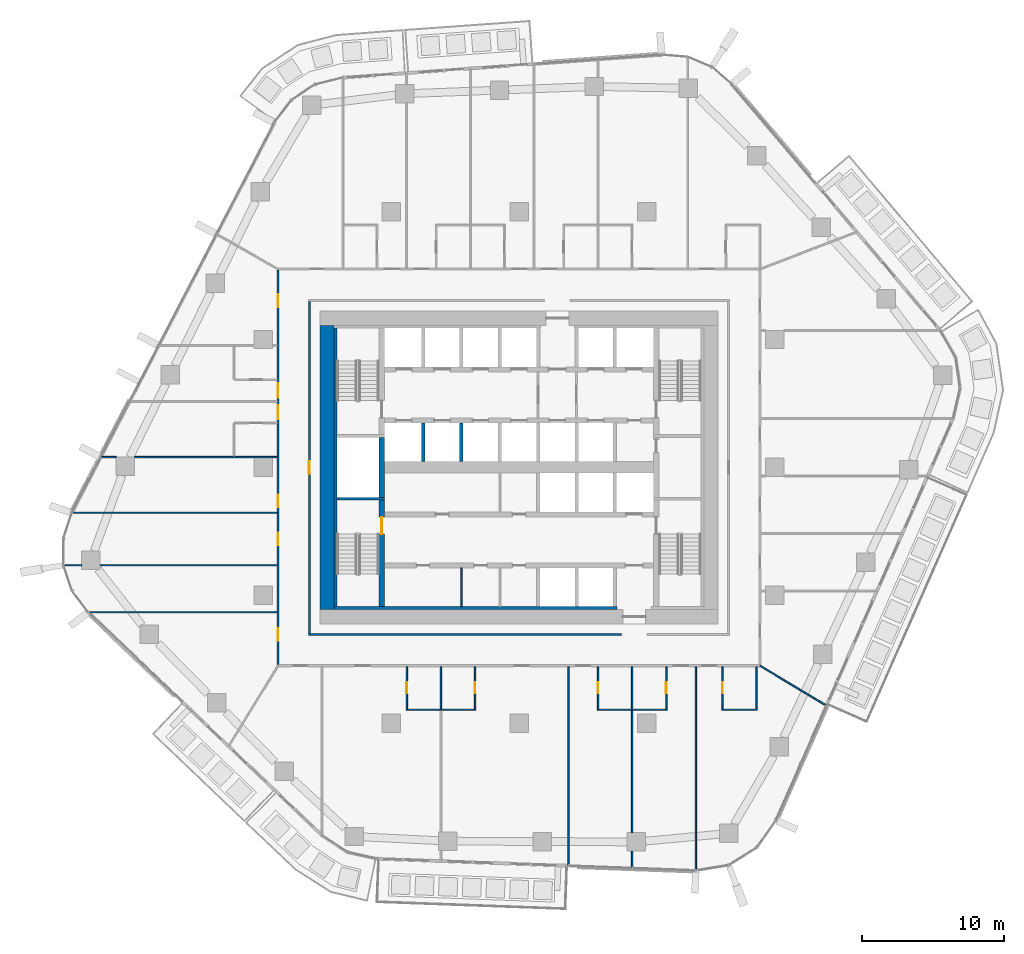
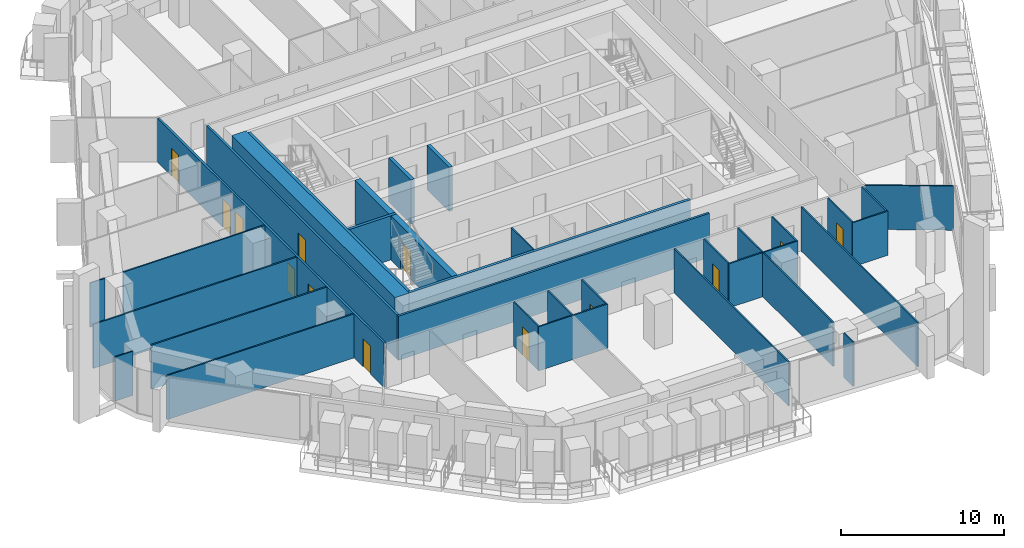
# One storey, part 12 of 24: 34 walls, 13 doors, 13 openings.
"""IFC4 building model written with IfcOpenShell, lengths in metres."""

from ifc_helpers import new_model, si_unit, direction, frame, frame_2d, origin, place, context, subcontext, project, spatial, rectangle, extrude, material, layer, layer_set, type_object, element, fill, save


model = new_model("IFC4")

# Units and contexts
model_context = context("Model", 3, precision=1e-05, world=origin(), true_north=direction((0.0, 1.0)))
body_context = subcontext(model_context, "Body", "Model", "MODEL_VIEW")
ifc_project = project(units=[si_unit("LENGTHUNIT", "METRE"), si_unit("AREAUNIT", "SQUARE_METRE"), si_unit("VOLUMEUNIT", "CUBIC_METRE"), si_unit("PLANEANGLEUNIT", "RADIAN"), si_unit("MASSUNIT", "GRAM", prefix="KILO")], contexts=[model_context])

# Site, building, storey
site_placement = place(None, origin())
site = spatial("IfcSite", under=ifc_project, at=site_placement, CompositionType="ELEMENT")
building_placement = place(site_placement, origin())
building = spatial("IfcBuilding", under=site, at=building_placement, Name="Dongbaek Canopy Tower", CompositionType="ELEMENT")
storey_placement = place(building_placement, frame((0.0, 0.0, 106.300048828125)))
storey = spatial("IfcBuildingStorey", under=building, at=storey_placement, Name="L22", CompositionType="ELEMENT", Elevation=106.300048828125)

# Walls
ifc_material_1 = material(Name="Concrete C60/75", Category="concrete")
ifc_layer_1 = layer(ifc_material_1, 1.0)
ifc_layer_set_1 = layer_set([ifc_layer_1], Name="Core outer wall 1000 Concrete C60/75")
wall_type_1 = type_object("IfcWallType", Name="Core outer wall 1000 Concrete C60/75", PredefinedType="SHEAR", material=ifc_layer_set_1)
wall_1_placement = place(storey_placement, frame((-13.5, -10.0, 0.0), z_axis=(0.0, 0.0, 1.0), x_axis=(0.0, 1.0, 0.0)))
element("IfcWall", 1, at=wall_1_placement, inside=storey, type_object=wall_type_1, Name="Core wall", PredefinedType="SHEAR", context=body_context, shape_type="SweptSolid", body=[
    extrude(rectangle(XDim=20.0, YDim=1.0, at=frame_2d((10.0, 0.0))), origin(), (0.0, 0.0, 1.0), 3.300048828125),
])
ifc_material_2 = material(Name="Concrete C60/75", Category="concrete")
ifc_layer_2 = layer(ifc_material_2, 0.199951171875)
ifc_layer_set_2 = layer_set([ifc_layer_2], Name="Core wall lining 200 Concrete C60/75")
wall_type_2 = type_object("IfcWallType", Name="Core wall lining 200 Concrete C60/75", PredefinedType="SHEAR", material=ifc_layer_set_2)
wall_2_placement = place(storey_placement, frame((6.89990234375, -9.89990234375, 0.0), z_axis=(0.0, 0.0, 1.0), x_axis=(-1.0, 0.0, 0.0)))
element("IfcWall", 2, at=wall_2_placement, inside=storey, type_object=wall_type_2, Name="Core wall lining", PredefinedType="SHEAR", context=body_context, shape_type="SweptSolid", body=[
    extrude(rectangle(XDim=19.89990234375, YDim=0.199951171875, at=frame_2d((9.949951171875, 0.0))), origin(), (0.0, 0.0, 1.0), 3.300048828125),
])
wall_3_placement = place(storey_placement, frame((-12.89990234375, -9.800048828125, 0.0), z_axis=(0.0, 0.0, 1.0), x_axis=(0.0, 1.0, 0.0)))
element("IfcWall", 3, at=wall_3_placement, inside=storey, type_object=wall_type_2, Name="Core wall lining", PredefinedType="SHEAR", context=body_context, shape_type="SweptSolid", body=[
    extrude(rectangle(XDim=19.60009765625, YDim=0.199951171875, at=frame_2d((9.800048828125, 0.0))), origin(), (0.0, 0.0, 1.0), 3.300048828125),
])
ifc_material_3 = material(Name="Gypsum board partition, steel stud, 2 x 15 mm fire board", Category="steel")
ifc_layer_3 = layer(ifc_material_3, 0.14990234375)
ifc_layer_set_3 = layer_set([ifc_layer_3], Name="Fire-rated partition 150 gypsum board")
wall_type_3 = type_object("IfcWallType", Name="Fire-rated partition 150 gypsum board", PredefinedType="PARTITIONING", material=ifc_layer_set_3)
wall_4_placement = place(storey_placement, frame((-14.824951171875, -11.75, 0.0), z_axis=(0.0, 0.0, 1.0), x_axis=(1.0, 0.0, 0.0)))
element("IfcWall", 4, at=wall_4_placement, inside=storey, type_object=wall_type_3, Name="Corridor partition", PredefinedType="PARTITIONING", context=body_context, shape_type="SweptSolid", body=[
    extrude(rectangle(XDim=22.02490234375, YDim=0.14990234375, at=frame_2d((11.012451171875, 0.0))), origin(), (0.0, 0.0, 1.0), 3.300048828125),
])

# Wall, opening, door
wall_5_placement = place(storey_placement, frame((-14.75, 11.675048828125, 0.0), z_axis=(0.0, 0.0, 1.0), x_axis=(0.0, -1.0, 0.0)))
wall_5 = element("IfcWall", 5, at=wall_5_placement, inside=storey, type_object=wall_type_3, Name="Corridor partition", PredefinedType="PARTITIONING", context=body_context, shape_type="SweptSolid", body=[
    extrude(rectangle(XDim=23.35009765625, YDim=0.14990234375, at=frame_2d((11.675048828125, 0.0))), origin(), (0.0, 0.0, 1.0), 3.300048828125),
])
opening_1_placement = place(wall_5_placement, frame((11.22509765625, 0.0, 0.0)))
opening_1 = element("IfcOpeningElement", 6, at=opening_1_placement, cuts=wall_5, Name="Opening L22-D039", PredefinedType="OPENING", context=body_context, shape_type="SweptSolid", body=[
    extrude(rectangle(XDim=0.89990234375, YDim=2.10009765625, at=frame_2d((0.449951171875, 1.050048828125))), frame((0.0, 0.0849609375, 0.0), z_axis=(0.0, -1.0, 0.0), x_axis=(1.0, 0.0, 0.0)), (0.0, 0.0, 1.0), 0.169921875),
])
ifc_material_4 = material(Name="Timber veneered door leaf", Category="wood")
door_type_1 = type_object("IfcDoorType", Name="Room door 900 x 2100", OperationType="SINGLE_SWING_LEFT", PredefinedType="DOOR", material=ifc_material_4)
door_1_placement = place(opening_1_placement, origin())
door_1 = element("IfcDoor", 7, at=door_1_placement, inside=storey, type_object=door_type_1, Name="Door L22-D039", OperationType="SINGLE_SWING_RIGHT", OverallHeight=2.10009765625, OverallWidth=0.89990234375, PredefinedType="DOOR", context=body_context, shape_type="SweptSolid", body=[
    extrude(rectangle(XDim=0.89990234375, YDim=2.10009765625, at=frame_2d((0.449951171875, 1.050048828125))), frame((0.0, 0.02490234375, 0.0), z_axis=(0.0, -1.0, 0.0), x_axis=(1.0, 0.0, 0.0)), (0.0, 0.0, 1.0), 0.050048828125),
])
fill(opening_1, door_1)

# Wall, openings, doors
wall_6_placement = place(storey_placement, frame((-16.949951171875, -13.875, 0.0), z_axis=(0.0, 0.0, 1.0), x_axis=(0.0, 1.0, 0.0)))
wall_6 = element("IfcWall", 8, at=wall_6_placement, inside=storey, type_object=wall_type_3, Name="Corridor partition", PredefinedType="PARTITIONING", context=body_context, shape_type="SweptSolid", body=[
    extrude(rectangle(XDim=27.75, YDim=0.14990234375, at=frame_2d((13.875, 0.0))), origin(), (0.0, 0.0, 1.0), 3.300048828125),
])
opening_2_placement = place(wall_6_placement, frame((11.059814453125, 0.0, 0.0)))
opening_2 = element("IfcOpeningElement", 9, at=opening_2_placement, cuts=wall_6, Name="Opening L22-D001", PredefinedType="OPENING", context=body_context, shape_type="SweptSolid", body=[
    extrude(rectangle(XDim=0.89990234375, YDim=2.10009765625, at=frame_2d((0.449951171875, 1.050048828125))), frame((0.0, 0.0849609375, 0.0), z_axis=(0.0, -1.0, 0.0), x_axis=(1.0, 0.0, 0.0)), (0.0, 0.0, 1.0), 0.169921875),
])
opening_3_placement = place(wall_6_placement, frame((8.386962890625, 0.0, 0.0)))
opening_3 = element("IfcOpeningElement", 10, at=opening_3_placement, cuts=wall_6, Name="Opening L22-D002", PredefinedType="OPENING", context=body_context, shape_type="SweptSolid", body=[
    extrude(rectangle(XDim=0.89990234375, YDim=2.10009765625, at=frame_2d((0.449951171875, 1.050048828125))), frame((0.0, 0.0849609375, 0.0), z_axis=(0.0, -1.0, 0.0), x_axis=(1.0, 0.0, 0.0)), (0.0, 0.0, 1.0), 0.169921875),
])
opening_4_placement = place(wall_6_placement, frame((1.665771484375, 0.0, 0.0)))
opening_4 = element("IfcOpeningElement", 11, at=opening_4_placement, cuts=wall_6, Name="Opening L22-D003", PredefinedType="OPENING", context=body_context, shape_type="SweptSolid", body=[
    extrude(rectangle(XDim=0.89990234375, YDim=2.10009765625, at=frame_2d((0.449951171875, 1.050048828125))), frame((0.0, 0.0849609375, 0.0), z_axis=(0.0, -1.0, 0.0), x_axis=(1.0, 0.0, 0.0)), (0.0, 0.0, 1.0), 0.169921875),
])
opening_5_placement = place(wall_6_placement, frame((25.151611328125, 0.0, 0.0)))
opening_5 = element("IfcOpeningElement", 12, at=opening_5_placement, cuts=wall_6, Name="Opening L22-D034", PredefinedType="OPENING", context=body_context, shape_type="SweptSolid", body=[
    extrude(rectangle(XDim=0.89990234375, YDim=2.10009765625, at=frame_2d((0.449951171875, 1.050048828125))), frame((0.0, 0.0849609375, 0.0), z_axis=(0.0, -1.0, 0.0), x_axis=(1.0, 0.0, 0.0)), (0.0, 0.0, 1.0), 0.169921875),
])
opening_6_placement = place(wall_6_placement, frame((18.78173828125, 0.0, 0.0)))
opening_6 = element("IfcOpeningElement", 13, at=opening_6_placement, cuts=wall_6, Name="Opening L22-D036", PredefinedType="OPENING", context=body_context, shape_type="SweptSolid", body=[
    extrude(rectangle(XDim=1.0, YDim=2.10009765625, at=frame_2d((0.5, 1.050048828125))), frame((0.0, 0.0849609375, 0.0), z_axis=(0.0, -1.0, 0.0), x_axis=(1.0, 0.0, 0.0)), (0.0, 0.0, 1.0), 0.169921875),
])
opening_7_placement = place(wall_6_placement, frame((17.259765625, 0.0, 0.0)))
opening_7 = element("IfcOpeningElement", 14, at=opening_7_placement, cuts=wall_6, Name="Opening L22-D038", PredefinedType="OPENING", context=body_context, shape_type="SweptSolid", body=[
    extrude(rectangle(XDim=1.0, YDim=2.10009765625, at=frame_2d((0.5, 1.050048828125))), frame((0.0, 0.0849609375, 0.0), z_axis=(0.0, -1.0, 0.0), x_axis=(1.0, 0.0, 0.0)), (0.0, 0.0, 1.0), 0.169921875),
])
ifc_material_5 = material(Name="Timber veneered door leaf", Category="wood")
door_type_2 = type_object("IfcDoorType", Name="Guest room door 1000 x 2100", OperationType="SINGLE_SWING_LEFT", PredefinedType="DOOR", material=ifc_material_5)
door_2_placement = place(opening_6_placement, origin())
door_2 = element("IfcDoor", 15, at=door_2_placement, inside=storey, type_object=door_type_2, Name="Door L22-D036", OperationType="SINGLE_SWING_RIGHT", OverallHeight=2.10009765625, OverallWidth=1.0, PredefinedType="DOOR", context=body_context, shape_type="SweptSolid", body=[
    extrude(rectangle(XDim=1.0, YDim=2.10009765625, at=frame_2d((0.5, 1.050048828125))), frame((0.0, 0.02490234375, 0.0), z_axis=(0.0, -1.0, 0.0), x_axis=(1.0, 0.0, 0.0)), (0.0, 0.0, 1.0), 0.050048828125),
])
fill(opening_6, door_2)
door_3_placement = place(opening_7_placement, origin())
door_3 = element("IfcDoor", 16, at=door_3_placement, inside=storey, type_object=door_type_2, Name="Door L22-D038", OperationType="SINGLE_SWING_LEFT", OverallHeight=2.10009765625, OverallWidth=1.0, PredefinedType="DOOR", context=body_context, shape_type="SweptSolid", body=[
    extrude(rectangle(XDim=1.0, YDim=2.10009765625, at=frame_2d((0.5, 1.050048828125))), frame((0.0, 0.02490234375, 0.0), z_axis=(0.0, -1.0, 0.0), x_axis=(1.0, 0.0, 0.0)), (0.0, 0.0, 1.0), 0.050048828125),
])
fill(opening_7, door_3)
door_4_placement = place(opening_2_placement, origin())
door_4 = element("IfcDoor", 17, at=door_4_placement, inside=storey, type_object=door_type_1, Name="Door L22-D001", OperationType="SINGLE_SWING_RIGHT", OverallHeight=2.10009765625, OverallWidth=0.89990234375, PredefinedType="DOOR", context=body_context, shape_type="SweptSolid", body=[
    extrude(rectangle(XDim=0.89990234375, YDim=2.10009765625, at=frame_2d((0.449951171875, 1.050048828125))), frame((0.0, 0.02490234375, 0.0), z_axis=(0.0, -1.0, 0.0), x_axis=(1.0, 0.0, 0.0)), (0.0, 0.0, 1.0), 0.050048828125),
])
fill(opening_2, door_4)
door_5_placement = place(opening_3_placement, origin())
door_5 = element("IfcDoor", 18, at=door_5_placement, inside=storey, type_object=door_type_1, Name="Door L22-D002", OperationType="SINGLE_SWING_LEFT", OverallHeight=2.10009765625, OverallWidth=0.89990234375, PredefinedType="DOOR", context=body_context, shape_type="SweptSolid", body=[
    extrude(rectangle(XDim=0.89990234375, YDim=2.10009765625, at=frame_2d((0.449951171875, 1.050048828125))), frame((0.0, 0.02490234375, 0.0), z_axis=(0.0, -1.0, 0.0), x_axis=(1.0, 0.0, 0.0)), (0.0, 0.0, 1.0), 0.050048828125),
])
fill(opening_3, door_5)
door_6_placement = place(opening_4_placement, origin())
door_6 = element("IfcDoor", 19, at=door_6_placement, inside=storey, type_object=door_type_1, Name="Door L22-D003", OperationType="SINGLE_SWING_LEFT", OverallHeight=2.10009765625, OverallWidth=0.89990234375, PredefinedType="DOOR", context=body_context, shape_type="SweptSolid", body=[
    extrude(rectangle(XDim=0.89990234375, YDim=2.10009765625, at=frame_2d((0.449951171875, 1.050048828125))), frame((0.0, 0.02490234375, 0.0), z_axis=(0.0, -1.0, 0.0), x_axis=(1.0, 0.0, 0.0)), (0.0, 0.0, 1.0), 0.050048828125),
])
fill(opening_4, door_6)
door_7_placement = place(opening_5_placement, origin())
door_7 = element("IfcDoor", 20, at=door_7_placement, inside=storey, type_object=door_type_1, Name="Door L22-D034", OperationType="SINGLE_SWING_LEFT", OverallHeight=2.10009765625, OverallWidth=0.89990234375, PredefinedType="DOOR", context=body_context, shape_type="SweptSolid", body=[
    extrude(rectangle(XDim=0.89990234375, YDim=2.10009765625, at=frame_2d((0.449951171875, 1.050048828125))), frame((0.0, 0.02490234375, 0.0), z_axis=(0.0, -1.0, 0.0), x_axis=(1.0, 0.0, 0.0)), (0.0, 0.0, 1.0), 0.050048828125),
])
fill(opening_5, door_7)

# Walls
ifc_material_6 = material(Name="Concrete C40/50", Category="concrete")
ifc_layer_4 = layer(ifc_material_6, 0.25)
ifc_layer_set_4 = layer_set([ifc_layer_4], Name="Lift shaft wall 250 Concrete C40/50")
wall_type_4 = type_object("IfcWallType", Name="Lift shaft wall 250 Concrete C40/50", PredefinedType="SOLIDWALL", material=ifc_layer_set_4)
for number, where, z_axis, x_axis, name in (
    (21, (-4.050048828125, 0.39990234375, 0.0), (0.0, 0.0, 1.0), (0.0, 1.0, 0.0), "Lift shaft wall"),
    (22, (-6.75, 0.39990234375, 0.0), (0.0, 0.0, 1.0), (0.0, 1.0, 0.0), "Lift shaft wall"),
):
    element("IfcWall", number, at=place(storey_placement, frame(where, z_axis=z_axis, x_axis=x_axis)), inside=storey, type_object=wall_type_4, Name=name, PredefinedType="SOLIDWALL", context=body_context, shape_type="SweptSolid", body=[
        extrude(rectangle(XDim=2.72509765625, YDim=0.25, at=frame_2d((1.362548828125, 0.0))), origin(), (0.0, 0.0, 1.0), 3.300048828125),
    ])
ifc_material_7 = material(Name="Gypsum board partition, steel stud, 2 x 12.5 mm board", Category="steel")
ifc_layer_5 = layer(ifc_material_7, 0.10009765625)
ifc_layer_set_5 = layer_set([ifc_layer_5], Name="Partition 100 gypsum board")
wall_type_5 = type_object("IfcWallType", Name="Partition 100 gypsum board", PredefinedType="PARTITIONING", material=ifc_layer_set_5)
wall_7_placement = place(storey_placement, frame((-7.941650390625, -17.050048828125, 0.0), z_axis=(0.0, 0.0, 1.0), x_axis=(1.0, 0.0, 0.0)))
element("IfcWall", 23, at=wall_7_placement, inside=storey, type_object=wall_type_5, Name="Partition", PredefinedType="PARTITIONING", context=body_context, shape_type="SweptSolid", body=[
    extrude(rectangle(XDim=4.900146484375, YDim=0.10009765625, at=frame_2d((2.4501953125, 0.0))), origin(), (0.0, 0.0, 1.0), 3.300048828125),
])
wall_8_placement = place(storey_placement, frame((5.5126953125, -17.050048828125, 0.0), z_axis=(0.0, 0.0, 1.0), x_axis=(1.0, 0.0, 0.0)))
element("IfcWall", 24, at=wall_8_placement, inside=storey, type_object=wall_type_5, Name="Partition", PredefinedType="PARTITIONING", context=body_context, shape_type="SweptSolid", body=[
    extrude(rectangle(XDim=4.89990234375, YDim=0.10009765625, at=frame_2d((2.449951171875, 0.0))), origin(), (0.0, 0.0, 1.0), 3.300048828125),
])
wall_9_placement = place(storey_placement, frame((14.2724609375, -17.050048828125, 0.0), z_axis=(0.0, 0.0, 1.0), x_axis=(1.0, 0.0, 0.0)))
element("IfcWall", 25, at=wall_9_placement, inside=storey, type_object=wall_type_5, Name="Partition", PredefinedType="PARTITIONING", context=body_context, shape_type="SweptSolid", body=[
    extrude(rectangle(XDim=2.5, YDim=0.10009765625, at=frame_2d((1.25, 0.0))), origin(), (0.0, 0.0, 1.0), 3.300048828125),
])
wall_10_placement = place(storey_placement, frame((-30.268310546875, -10.19091796875, 0.0), z_axis=(0.0, 0.0, 1.0), x_axis=(1.0, 0.0, 0.0)))
element("IfcWall", 26, at=wall_10_placement, inside=storey, type_object=wall_type_5, Name="Partition", PredefinedType="PARTITIONING", context=body_context, shape_type="SweptSolid", body=[
    extrude(rectangle(XDim=13.243408203125, YDim=0.10009765625, at=frame_2d((6.62158203125, 0.0))), origin(), (0.0, 0.0, 1.0), 3.300048828125),
])
wall_11_placement = place(storey_placement, frame((-32.02685546875, -6.885009765625, 0.0), z_axis=(0.0, 0.0, 1.0), x_axis=(1.0, 0.0, 0.0)))
element("IfcWall", 27, at=wall_11_placement, inside=storey, type_object=wall_type_5, Name="Partition", PredefinedType="PARTITIONING", context=body_context, shape_type="SweptSolid", body=[
    extrude(rectangle(XDim=1.251953125, YDim=0.10009765625, at=frame_2d((0.6259765625, 0.0))), origin(), (0.0, 0.0, 1.0), 3.300048828125),
])
wall_12_placement = place(storey_placement, frame((-29.47509765625, -6.885009765625, 0.0), z_axis=(0.0, 0.0, 1.0), x_axis=(1.0, 0.0, 0.0)))
element("IfcWall", 28, at=wall_12_placement, inside=storey, type_object=wall_type_5, Name="Partition", PredefinedType="PARTITIONING", context=body_context, shape_type="SweptSolid", body=[
    extrude(rectangle(XDim=12.4501953125, YDim=0.10009765625, at=frame_2d((6.22509765625, 0.0))), origin(), (0.0, 0.0, 1.0), 3.300048828125),
])
wall_13_placement = place(storey_placement, frame((-31.43896484375, -3.19091796875, 0.0), z_axis=(0.0, 0.0, 1.0), x_axis=(1.0, 0.0, 0.0)))
element("IfcWall", 29, at=wall_13_placement, inside=storey, type_object=wall_type_5, Name="Partition", PredefinedType="PARTITIONING", context=body_context, shape_type="SweptSolid", body=[
    extrude(rectangle(XDim=14.4140625, YDim=0.10009765625, at=frame_2d((7.20703125, 0.0))), origin(), (0.0, 0.0, 1.0), 3.300048828125),
])
wall_14_placement = place(storey_placement, frame((-29.406005859375, 0.72412109375, 0.0), z_axis=(0.0, 0.0, 1.0), x_axis=(1.0, 0.0, 0.0)))
element("IfcWall", 30, at=wall_14_placement, inside=storey, type_object=wall_type_5, Name="Partition", PredefinedType="PARTITIONING", context=body_context, shape_type="SweptSolid", body=[
    extrude(rectangle(XDim=1.06298828125, YDim=0.10009765625, at=frame_2d((0.531494140625, 0.0))), origin(), (0.0, 0.0, 1.0), 3.300048828125),
])
wall_15_placement = place(storey_placement, frame((-27.04296875, 0.72412109375, 0.0), z_axis=(0.0, 0.0, 1.0), x_axis=(1.0, 0.0, 0.0)))
element("IfcWall", 31, at=wall_15_placement, inside=storey, type_object=wall_type_5, Name="Partition", PredefinedType="PARTITIONING", context=body_context, shape_type="SweptSolid", body=[
    extrude(rectangle(XDim=10.01806640625, YDim=0.10009765625, at=frame_2d((5.009033203125, 0.0))), origin(), (0.0, 0.0, 1.0), 3.300048828125),
])
wall_16_placement = place(storey_placement, frame((16.721923828125, -17.0, 0.0), z_axis=(0.0, 0.0, 1.0), x_axis=(0.0, 1.0, 0.0)))
element("IfcWall", 32, at=wall_16_placement, inside=storey, type_object=wall_type_5, Name="Partition", PredefinedType="PARTITIONING", context=body_context, shape_type="SweptSolid", body=[
    extrude(rectangle(XDim=2.97509765625, YDim=0.10009765625, at=frame_2d((1.487548828125, 0.0))), origin(), (0.0, 0.0, 1.0), 3.300048828125),
])

# Wall, opening, door
wall_17_placement = place(storey_placement, frame((14.322021484375, -14.02490234375, 0.0), z_axis=(0.0, 0.0, 1.0), x_axis=(0.0, -1.0, 0.0)))
wall_17 = element("IfcWall", 33, at=wall_17_placement, inside=storey, type_object=wall_type_5, Name="Partition", PredefinedType="PARTITIONING", context=body_context, shape_type="SweptSolid", body=[
    extrude(rectangle(XDim=3.025146484375, YDim=0.10009765625, at=frame_2d((1.5126953125, 0.0))), origin(), (0.0, 0.0, 1.0), 3.300048828125),
])
opening_8_placement = place(wall_17_placement, frame((1.074951171875, 0.0, 0.0)))
opening_8 = element("IfcOpeningElement", 34, at=opening_8_placement, cuts=wall_17, Name="Opening L22-D013", PredefinedType="OPENING", context=body_context, shape_type="SweptSolid", body=[
    extrude(rectangle(XDim=0.800048828125, YDim=2.10009765625, at=frame_2d((0.39990234375, 1.050048828125))), frame((0.0, 0.06005859375, 0.0), z_axis=(0.0, -1.0, 0.0), x_axis=(1.0, 0.0, 0.0)), (0.0, 0.0, 1.0), 0.1201171875),
])
ifc_material_8 = material(Name="Timber veneered door leaf", Category="wood")
door_type_3 = type_object("IfcDoorType", Name="En-suite door 800 x 2100", OperationType="SINGLE_SWING_LEFT", PredefinedType="DOOR", material=ifc_material_8)
door_8_placement = place(opening_8_placement, origin())
door_8 = element("IfcDoor", 35, at=door_8_placement, inside=storey, type_object=door_type_3, Name="Door L22-D013", OperationType="SINGLE_SWING_RIGHT", OverallHeight=2.10009765625, OverallWidth=0.800048828125, PredefinedType="DOOR", context=body_context, shape_type="SweptSolid", body=[
    extrude(rectangle(XDim=0.800048828125, YDim=2.10009765625, at=frame_2d((0.39990234375, 1.050048828125))), frame((0.0, 0.02490234375, 0.0), z_axis=(0.0, -1.0, 0.0), x_axis=(1.0, 0.0, 0.0)), (0.0, 0.0, 1.0), 0.050048828125),
])
fill(opening_8, door_8)

# Wall
wall_18_placement = place(storey_placement, frame((12.43994140625, -28.33447265625, 0.0), z_axis=(0.0, 0.0, 1.0), x_axis=(0.0, 1.0, 0.0)))
element("IfcWall", 36, at=wall_18_placement, inside=storey, type_object=wall_type_5, Name="Partition", PredefinedType="PARTITIONING", context=body_context, shape_type="SweptSolid", body=[
    extrude(rectangle(XDim=14.3095703125, YDim=0.10009765625, at=frame_2d((7.15478515625, 0.0))), origin(), (0.0, 0.0, 1.0), 3.300048828125),
])

# Wall, opening, door
wall_19_placement = place(storey_placement, frame((10.363037109375, -17.050048828125, 0.0), z_axis=(0.0, 0.0, 1.0), x_axis=(0.0, 1.0, 0.0)))
wall_19 = element("IfcWall", 37, at=wall_19_placement, inside=storey, type_object=wall_type_5, Name="Partition", PredefinedType="PARTITIONING", context=body_context, shape_type="SweptSolid", body=[
    extrude(rectangle(XDim=3.025146484375, YDim=0.10009765625, at=frame_2d((1.5126953125, 0.0))), origin(), (0.0, 0.0, 1.0), 3.300048828125),
])
opening_9_placement = place(wall_19_placement, frame((1.14990234375, 0.0, 0.0)))
opening_9 = element("IfcOpeningElement", 38, at=opening_9_placement, cuts=wall_19, Name="Opening L22-D011", PredefinedType="OPENING", context=body_context, shape_type="SweptSolid", body=[
    extrude(rectangle(XDim=0.800048828125, YDim=2.10009765625, at=frame_2d((0.39990234375, 1.050048828125))), frame((0.0, 0.06005859375, 0.0), z_axis=(0.0, -1.0, 0.0), x_axis=(1.0, 0.0, 0.0)), (0.0, 0.0, 1.0), 0.1201171875),
])
door_9_placement = place(opening_9_placement, origin())
door_9 = element("IfcDoor", 39, at=door_9_placement, inside=storey, type_object=door_type_3, Name="Door L22-D011", OperationType="SINGLE_SWING_LEFT", OverallHeight=2.10009765625, OverallWidth=0.800048828125, PredefinedType="DOOR", context=body_context, shape_type="SweptSolid", body=[
    extrude(rectangle(XDim=0.800048828125, YDim=2.10009765625, at=frame_2d((0.39990234375, 1.050048828125))), frame((0.0, 0.02490234375, 0.0), z_axis=(0.0, -1.0, 0.0), x_axis=(1.0, 0.0, 0.0)), (0.0, 0.0, 1.0), 0.050048828125),
])
fill(opening_9, door_9)

# Walls
wall_20_placement = place(storey_placement, frame((7.962890625, -28.169677734375, 0.0), z_axis=(0.0, 0.0, 1.0), x_axis=(0.0, 1.0, 0.0)))
element("IfcWall", 40, at=wall_20_placement, inside=storey, type_object=wall_type_5, Name="Partition", PredefinedType="PARTITIONING", context=body_context, shape_type="SweptSolid", body=[
    extrude(rectangle(XDim=1.170654296875, YDim=0.10009765625, at=frame_2d((0.58544921875, 0.0))), origin(), (0.0, 0.0, 1.0), 3.300048828125),
])
wall_21_placement = place(storey_placement, frame((7.962890625, -25.698974609375, 0.0), z_axis=(0.0, 0.0, 1.0), x_axis=(0.0, 1.0, 0.0)))
element("IfcWall", 41, at=wall_21_placement, inside=storey, type_object=wall_type_5, Name="Partition", PredefinedType="PARTITIONING", context=body_context, shape_type="SweptSolid", body=[
    extrude(rectangle(XDim=8.598876953125, YDim=0.10009765625, at=frame_2d((4.29931640625, 0.0))), origin(), (0.0, 0.0, 1.0), 3.300048828125),
])
wall_22_placement = place(storey_placement, frame((7.962890625, -17.0, 0.0), z_axis=(0.0, 0.0, 1.0), x_axis=(0.0, 1.0, 0.0)))
element("IfcWall", 42, at=wall_22_placement, inside=storey, type_object=wall_type_5, Name="Partition", PredefinedType="PARTITIONING", context=body_context, shape_type="SweptSolid", body=[
    extrude(rectangle(XDim=2.97509765625, YDim=0.10009765625, at=frame_2d((1.487548828125, 0.0))), origin(), (0.0, 0.0, 1.0), 3.300048828125),
])

# Wall, opening, door
wall_23_placement = place(storey_placement, frame((5.56298828125, -14.02490234375, 0.0), z_axis=(0.0, 0.0, 1.0), x_axis=(0.0, -1.0, 0.0)))
wall_23 = element("IfcWall", 43, at=wall_23_placement, inside=storey, type_object=wall_type_5, Name="Partition", PredefinedType="PARTITIONING", context=body_context, shape_type="SweptSolid", body=[
    extrude(rectangle(XDim=2.97509765625, YDim=0.10009765625, at=frame_2d((1.487548828125, 0.0))), origin(), (0.0, 0.0, 1.0), 3.300048828125),
])
opening_10_placement = place(wall_23_placement, frame((1.074951171875, 0.0, 0.0)))
opening_10 = element("IfcOpeningElement", 44, at=opening_10_placement, cuts=wall_23, Name="Opening L22-D009", PredefinedType="OPENING", context=body_context, shape_type="SweptSolid", body=[
    extrude(rectangle(XDim=0.800048828125, YDim=2.10009765625, at=frame_2d((0.39990234375, 1.050048828125))), frame((0.0, 0.06005859375, 0.0), z_axis=(0.0, -1.0, 0.0), x_axis=(1.0, 0.0, 0.0)), (0.0, 0.0, 1.0), 0.1201171875),
])
door_10_placement = place(opening_10_placement, origin())
door_10 = element("IfcDoor", 45, at=door_10_placement, inside=storey, type_object=door_type_3, Name="Door L22-D009", OperationType="SINGLE_SWING_RIGHT", OverallHeight=2.10009765625, OverallWidth=0.800048828125, PredefinedType="DOOR", context=body_context, shape_type="SweptSolid", body=[
    extrude(rectangle(XDim=0.800048828125, YDim=2.10009765625, at=frame_2d((0.39990234375, 1.050048828125))), frame((0.0, 0.02490234375, 0.0), z_axis=(0.0, -1.0, 0.0), x_axis=(1.0, 0.0, 0.0)), (0.0, 0.0, 1.0), 0.050048828125),
])
fill(opening_10, door_10)

# Wall
wall_24_placement = place(storey_placement, frame((3.47607421875, -28.00390625, 0.0), z_axis=(0.0, 0.0, 1.0), x_axis=(0.0, 1.0, 0.0)))
element("IfcWall", 46, at=wall_24_placement, inside=storey, type_object=wall_type_5, Name="Partition", PredefinedType="PARTITIONING", context=body_context, shape_type="SweptSolid", body=[
    extrude(rectangle(XDim=13.97900390625, YDim=0.10009765625, at=frame_2d((6.989501953125, 0.0))), origin(), (0.0, 0.0, 1.0), 3.300048828125),
])

# Wall, opening, door
wall_25_placement = place(storey_placement, frame((-3.092041015625, -17.0, 0.0), z_axis=(0.0, 0.0, 1.0), x_axis=(0.0, 1.0, 0.0)))
wall_25 = element("IfcWall", 47, at=wall_25_placement, inside=storey, type_object=wall_type_5, Name="Partition", PredefinedType="PARTITIONING", context=body_context, shape_type="SweptSolid", body=[
    extrude(rectangle(XDim=2.97509765625, YDim=0.10009765625, at=frame_2d((1.487548828125, 0.0))), origin(), (0.0, 0.0, 1.0), 3.300048828125),
])
opening_11_placement = place(wall_25_placement, frame((1.10009765625, 0.0, 0.0)))
opening_11 = element("IfcOpeningElement", 48, at=opening_11_placement, cuts=wall_25, Name="Opening L22-D007", PredefinedType="OPENING", context=body_context, shape_type="SweptSolid", body=[
    extrude(rectangle(XDim=0.800048828125, YDim=2.10009765625, at=frame_2d((0.39990234375, 1.050048828125))), frame((0.0, 0.06005859375, 0.0), z_axis=(0.0, -1.0, 0.0), x_axis=(1.0, 0.0, 0.0)), (0.0, 0.0, 1.0), 0.1201171875),
])
door_11_placement = place(opening_11_placement, origin())
door_11 = element("IfcDoor", 49, at=door_11_placement, inside=storey, type_object=door_type_3, Name="Door L22-D007", OperationType="SINGLE_SWING_LEFT", OverallHeight=2.10009765625, OverallWidth=0.800048828125, PredefinedType="DOOR", context=body_context, shape_type="SweptSolid", body=[
    extrude(rectangle(XDim=0.800048828125, YDim=2.10009765625, at=frame_2d((0.39990234375, 1.050048828125))), frame((0.0, 0.02490234375, 0.0), z_axis=(0.0, -1.0, 0.0), x_axis=(1.0, 0.0, 0.0)), (0.0, 0.0, 1.0), 0.050048828125),
])
fill(opening_11, door_11)

# Wall
wall_26_placement = place(storey_placement, frame((-5.491943359375, -17.0, 0.0), z_axis=(0.0, 0.0, 1.0), x_axis=(0.0, 1.0, 0.0)))
element("IfcWall", 50, at=wall_26_placement, inside=storey, type_object=wall_type_5, Name="Partition", PredefinedType="PARTITIONING", context=body_context, shape_type="SweptSolid", body=[
    extrude(rectangle(XDim=2.97509765625, YDim=0.10009765625, at=frame_2d((1.487548828125, 0.0))), origin(), (0.0, 0.0, 1.0), 3.300048828125),
])

# Wall, opening, door
wall_27_placement = place(storey_placement, frame((-7.89208984375, -14.02490234375, 0.0), z_axis=(0.0, 0.0, 1.0), x_axis=(0.0, -1.0, 0.0)))
wall_27 = element("IfcWall", 51, at=wall_27_placement, inside=storey, type_object=wall_type_5, Name="Partition", PredefinedType="PARTITIONING", context=body_context, shape_type="SweptSolid", body=[
    extrude(rectangle(XDim=3.025146484375, YDim=0.10009765625, at=frame_2d((1.5126953125, 0.0))), origin(), (0.0, 0.0, 1.0), 3.300048828125),
])
opening_12_placement = place(wall_27_placement, frame((1.074951171875, 0.0, 0.0)))
opening_12 = element("IfcOpeningElement", 52, at=opening_12_placement, cuts=wall_27, Name="Opening L22-D005", PredefinedType="OPENING", context=body_context, shape_type="SweptSolid", body=[
    extrude(rectangle(XDim=0.800048828125, YDim=2.10009765625, at=frame_2d((0.39990234375, 1.050048828125))), frame((0.0, 0.06005859375, 0.0), z_axis=(0.0, -1.0, 0.0), x_axis=(1.0, 0.0, 0.0)), (0.0, 0.0, 1.0), 0.1201171875),
])
door_12_placement = place(opening_12_placement, origin())
door_12 = element("IfcDoor", 53, at=door_12_placement, inside=storey, type_object=door_type_3, Name="Door L22-D005", OperationType="SINGLE_SWING_RIGHT", OverallHeight=2.10009765625, OverallWidth=0.800048828125, PredefinedType="DOOR", context=body_context, shape_type="SweptSolid", body=[
    extrude(rectangle(XDim=0.800048828125, YDim=2.10009765625, at=frame_2d((0.39990234375, 1.050048828125))), frame((0.0, 0.02490234375, 0.0), z_axis=(0.0, -1.0, 0.0), x_axis=(1.0, 0.0, 0.0)), (0.0, 0.0, 1.0), 0.050048828125),
])
fill(opening_12, door_12)

# Walls
wall_28_placement = place(storey_placement, frame((16.94970703125, -13.950439453125, 0.0), z_axis=(0.0, 0.0, 1.0), x_axis=(0.857183640751, -0.515010879525, 0.0)))
element("IfcWall", 54, at=wall_28_placement, inside=storey, type_object=wall_type_5, Name="Partition", PredefinedType="PARTITIONING", context=body_context, shape_type="SweptSolid", body=[
    extrude(rectangle(XDim=5.435546875, YDim=0.10009765625, at=frame_2d((2.7177734375, 0.0))), origin(), (0.0, 0.0, 1.0), 3.300048828125),
])
wall_29_placement = place(storey_placement, frame((-4.050048828125, -9.800048828125, 0.0), z_axis=(0.0, 0.0, 1.0), x_axis=(0.0, 1.0, 0.0)))
element("IfcWall", 55, at=wall_29_placement, inside=storey, type_object=wall_type_5, Name="Core partition", PredefinedType="PARTITIONING", context=body_context, shape_type="SweptSolid", body=[
    extrude(rectangle(XDim=2.72509765625, YDim=0.10009765625, at=frame_2d((1.362548828125, 0.0))), origin(), (0.0, 0.0, 1.0), 3.300048828125),
])
ifc_material_9 = material(Name="Concrete C60/75", Category="concrete")
ifc_layer_6 = layer(ifc_material_9, 0.199951171875)
ifc_layer_set_6 = layer_set([ifc_layer_6], Name="Riser wall 200 Concrete C60/75")
wall_type_6 = type_object("IfcWallType", Name="Riser wall 200 Concrete C60/75", PredefinedType="SHEAR", material=ifc_layer_set_6)
wall_30_placement = place(storey_placement, frame((-9.449951171875, -2.199951171875, 0.0), z_axis=(0.0, 0.0, 1.0), x_axis=(-1.0, 0.0, 0.0)))
element("IfcWall", 56, at=wall_30_placement, inside=storey, type_object=wall_type_6, Name="Riser wall", PredefinedType="SHEAR", context=body_context, shape_type="SweptSolid", body=[
    extrude(rectangle(XDim=3.35009765625, YDim=0.199951171875, at=frame_2d((1.675048828125, 0.0))), origin(), (0.0, 0.0, 1.0), 3.300048828125),
])

# Wall, opening, door
ifc_material_10 = material(Name="Concrete C60/75", Category="concrete")
ifc_layer_7 = layer(ifc_material_10, 0.39990234375)
ifc_layer_set_7 = layer_set([ifc_layer_7], Name="Stair wall 400 Concrete C60/75")
wall_type_7 = type_object("IfcWallType", Name="Stair wall 400 Concrete C60/75", PredefinedType="SHEAR", material=ifc_layer_set_7)
wall_31_placement = place(storey_placement, frame((-9.64990234375, -9.800048828125, 0.0), z_axis=(0.0, 0.0, 1.0), x_axis=(0.0, 1.0, 0.0)))
wall_31 = element("IfcWall", 57, at=wall_31_placement, inside=storey, type_object=wall_type_7, Name="Stair wall", PredefinedType="SHEAR", context=body_context, shape_type="SweptSolid", body=[
    extrude(rectangle(XDim=7.5, YDim=0.39990234375, at=frame_2d((3.75, 0.0))), origin(), (0.0, 0.0, 1.0), 3.300048828125),
])
opening_13_placement = place(wall_31_placement, frame((5.10009765625, 0.0, 0.0)))
opening_13 = element("IfcOpeningElement", 58, at=opening_13_placement, cuts=wall_31, Name="Opening L22-D068", PredefinedType="OPENING", context=body_context, shape_type="SweptSolid", body=[
    extrude(rectangle(XDim=1.199951171875, YDim=2.10009765625, at=frame_2d((0.60009765625, 1.050048828125))), frame((0.0, 0.2099609375, 0.0), z_axis=(0.0, -1.0, 0.0), x_axis=(1.0, 0.0, 0.0)), (0.0, 0.0, 1.0), 0.419921875),
])
ifc_material_11 = material(Name="Steel", Category="steel")
door_type_4 = type_object("IfcDoorType", Name="Stair door 1200 x 2100", OperationType="SINGLE_SWING_LEFT", PredefinedType="DOOR", material=ifc_material_11)
door_13_placement = place(opening_13_placement, origin())
door_13 = element("IfcDoor", 59, at=door_13_placement, inside=storey, type_object=door_type_4, Name="Stair D door", OperationType="SINGLE_SWING_LEFT", OverallHeight=2.10009765625, OverallWidth=1.199951171875, PredefinedType="DOOR", context=body_context, shape_type="SweptSolid", body=[
    extrude(rectangle(XDim=1.199951171875, YDim=2.10009765625, at=frame_2d((0.60009765625, 1.050048828125))), frame((0.0, 0.02490234375, 0.0), z_axis=(0.0, -1.0, 0.0), x_axis=(1.0, 0.0, 0.0)), (0.0, 0.0, 1.0), 0.050048828125),
])
fill(opening_13, door_13)

# Wall
wall_32_placement = place(storey_placement, frame((-9.64990234375, -2.10009765625, 0.0), z_axis=(0.0, 0.0, 1.0), x_axis=(0.0, 1.0, 0.0)))
element("IfcWall", 60, at=wall_32_placement, inside=storey, type_object=wall_type_7, Name="Stair wall", PredefinedType="SHEAR", context=body_context, shape_type="SweptSolid", body=[
    extrude(rectangle(XDim=4.2001953125, YDim=0.39990234375, at=frame_2d((2.10009765625, 0.0))), origin(), (0.0, 0.0, 1.0), 3.300048828125),
])

save(model, "model.ifc")
